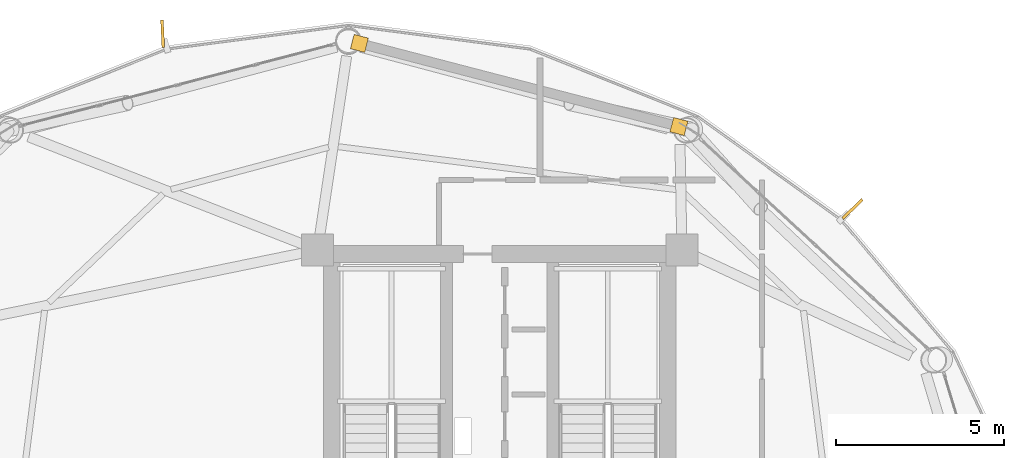
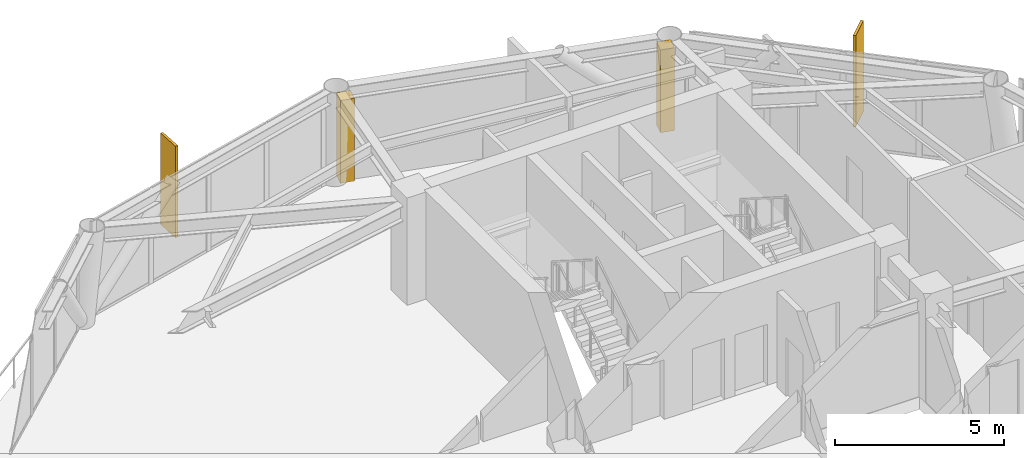
# One storey, part 26 of 26: 2 coverings, 2 shading devices.
"""IFC4 building model written with IfcOpenShell, lengths in metres."""

import ifcopenshell
import ifcopenshell.guid

model = None  # the IFC model being written
_history = None  # IfcOwnerHistory: only IFC2X3 demands one
_inside = {}  # id of a spatial element -> (the spatial element, [elements in it])
_under = {}  # id of a project, library or spatial element -> (it, [spatial elements below it])
_declared = {}  # id of a project -> (the project, [libraries it declares])
_typed = {}  # id of a type object -> (the type object, [elements of that type])
_made_of = {}  # id of a material, layer set ... -> (it, [elements and type objects made of it])


def new_model(schema):
    """Start an empty IFC model of exactly this schema.

    Asked for "IFC4X3", IfcOpenShell would pick the latest addendum, in which some entities
    have other attributes; the version numbers below select the first issue.
    IFC2X3 requires an IfcOwnerHistory on every rooted entity: one is made here for all.
    """
    global model, _history
    if schema == "IFC4X3":
        model = ifcopenshell.file(schema_version=(4, 3, 0, 0))
    else:
        model = ifcopenshell.file(schema=schema)
    _inside.clear()
    _under.clear()
    _declared.clear()
    _typed.clear()
    _made_of.clear()
    _history = None
    if model.schema == "IFC2X3":
        org = make("IfcOrganization", Name="unknown")
        user = make(
            "IfcPersonAndOrganization",
            ThePerson=make("IfcPerson", FamilyName="unknown"),
            TheOrganization=org,
        )
        app = make(
            "IfcApplication",
            ApplicationDeveloper=org,
            Version="unknown",
            ApplicationFullName="unknown",
            ApplicationIdentifier="unknown",
        )
        _history = make(
            "IfcOwnerHistory",
            OwningUser=user,
            OwningApplication=app,
            ChangeAction="ADDED",
            CreationDate=0,
        )
    return model


def make(cls, **values):
    """One entity of the class cls with the attributes given. An attribute that is None is left unset."""
    return model.create_entity(
        cls, **{name: value for name, value in values.items() if value is not None}
    )


def rooted(cls, **values):
    """An entity with a GlobalId (a new one), such as an element, a storey or a relation."""
    return make(cls, GlobalId=ifcopenshell.guid.new(), OwnerHistory=_history, **values)


def si_unit(unit_type, name, prefix=None):
    """IfcSIUnit, for example si_unit("LENGTHUNIT", "METRE", prefix="MILLI")."""
    return make("IfcSIUnit", UnitType=unit_type, Prefix=prefix, Name=name)


def assignment(units):
    """IfcUnitAssignment: the units of a project."""
    return None if units is None else make("IfcUnitAssignment", Units=units)


def point(xyz):
    """IfcCartesianPoint."""
    return None if xyz is None else make("IfcCartesianPoint", Coordinates=xyz)


def direction(xyz):
    """IfcDirection."""
    return None if xyz is None else make("IfcDirection", DirectionRatios=xyz)


def frame(location, z_axis=None, x_axis=None):
    """IfcAxis2Placement3D, a coordinate frame: its origin and axes. An axis left out is left unset."""
    return make(
        "IfcAxis2Placement3D",
        Location=point(location),
        Axis=direction(z_axis),
        RefDirection=direction(x_axis),
    )


def frame_2d(location, x_axis=None):
    """IfcAxis2Placement2D, a coordinate frame in the plane: its origin and x axis."""
    return make(
        "IfcAxis2Placement2D", Location=point(location), RefDirection=direction(x_axis)
    )


def origin():
    """The frame at (0, 0, 0) with its axes left unset."""
    return frame((0.0, 0.0, 0.0))


def origin_2d():
    """The frame at (0, 0) in the plane with its x axis left unset."""
    return frame_2d((0.0, 0.0))


def place(relative_to, where):
    """IfcLocalPlacement: puts the frame where relative to a parent placement (None: the world)."""
    return make(
        "IfcLocalPlacement", PlacementRelTo=relative_to, RelativePlacement=where
    )


def context(
    kind, dimensions, precision=None, world=None, true_north=None, identifier=None
):
    """IfcGeometricRepresentationContext, for example the 3D "Model" context."""
    return make(
        "IfcGeometricRepresentationContext",
        ContextIdentifier=identifier,
        ContextType=kind,
        CoordinateSpaceDimension=dimensions,
        Precision=precision,
        WorldCoordinateSystem=world,
        TrueNorth=true_north,
    )


def subcontext(parent, identifier, kind, view, scale=None):
    """IfcGeometricRepresentationSubContext, for example "Body" below "Model"."""
    return make(
        "IfcGeometricRepresentationSubContext",
        ContextIdentifier=identifier,
        ContextType=kind,
        ParentContext=parent,
        TargetScale=scale,
        TargetView=view,
    )


def project(units=None, contexts=None):
    """IfcProject with its units and contexts."""
    return rooted(
        "IfcProject",
        Name="project",
        RepresentationContexts=contexts,
        UnitsInContext=assignment(units),
    )


def spatial(cls, under=None, at=None, **own):
    """A site, building, storey or space (cls), placed at a placement, below another one or the project."""
    s = rooted(cls, ObjectPlacement=at, **own)
    if under is not None:
        _under.setdefault(under.id(), (under, []))[1].append(s)
    return s


def profile(cls, at=None, kind="AREA", **sizes):
    """A parametric profile (cls). Its sizes go by their IFC names, for example OverallWidth=200.0."""
    return make(cls, ProfileType=kind, Position=at, **sizes)


def rectangle(**sizes):
    """IfcRectangleProfileDef."""
    return profile("IfcRectangleProfileDef", **sizes)


def extrude(swept, where, along, depth):
    """IfcExtrudedAreaSolid: the profile swept, set in the frame where, extruded along a direction by depth."""
    return make(
        "IfcExtrudedAreaSolid",
        SweptArea=swept,
        Position=where,
        ExtrudedDirection=direction(along),
        Depth=depth,
    )


def shape(context_of_items, identifier, shape_type, items):
    """IfcShapeRepresentation: the items that make up one representation, for example the "Body"."""
    return make(
        "IfcShapeRepresentation",
        ContextOfItems=context_of_items,
        RepresentationIdentifier=identifier,
        RepresentationType=shape_type,
        Items=items,
    )


def source(mapping_origin, context_of_items, identifier, shape_type, items):
    """IfcRepresentationMap: a shape defined once, which mapped items show again and again."""
    return make(
        "IfcRepresentationMap",
        MappingOrigin=mapping_origin,
        MappedRepresentation=shape(context_of_items, identifier, shape_type, items),
    )


def transform(
    local_origin,
    x_axis=None,
    y_axis=None,
    z_axis=None,
    scale=None,
    scale2=None,
    scale3=None,
    uniform=True,
):
    """IfcCartesianTransformationOperator3D, or its non-uniform kind. x_axis, y_axis, z_axis: its Axis1, 2, 3."""
    if uniform:
        return make(
            "IfcCartesianTransformationOperator3D",
            Axis1=direction(x_axis),
            Axis2=direction(y_axis),
            LocalOrigin=point(local_origin),
            Scale=scale,
            Axis3=direction(z_axis),
        )
    return make(
        "IfcCartesianTransformationOperator3DnonUniform",
        Axis1=direction(x_axis),
        Axis2=direction(y_axis),
        LocalOrigin=point(local_origin),
        Scale=scale,
        Axis3=direction(z_axis),
        Scale2=scale2,
        Scale3=scale3,
    )


def mapped(mapping_source, mapping_target):
    """IfcMappedItem: shows the shape of a source again, moved by a transform."""
    return make(
        "IfcMappedItem", MappingSource=mapping_source, MappingTarget=mapping_target
    )


def material(Name=None, Category=None):
    """IfcMaterial."""
    return make("IfcMaterial", Name=Name, Category=Category)


def layer(
    of_material, thickness, ventilated=None, Name=None, Category=None, Priority=None
):
    """IfcMaterialLayer: one layer of a wall or slab, of a material (None: an air gap)."""
    return make(
        "IfcMaterialLayer",
        Material=of_material,
        LayerThickness=thickness,
        IsVentilated=ventilated,
        Name=Name,
        Category=Category,
        Priority=Priority,
    )


def layer_set(layers, Name=None):
    """IfcMaterialLayerSet."""
    return make("IfcMaterialLayerSet", MaterialLayers=layers, LayerSetName=Name)


def made_of(thing, what):
    """Note that an element or type object is made of a material, layer set ...; save() writes the relation."""
    if what is not None:
        _made_of.setdefault(what.id(), (what, []))[1].append(thing)
    return thing


def type_object(cls, material=None, **own):
    """A type object (cls), such as IfcWallType, which elements share."""
    return made_of(rooted(cls, **own), material)


def type_shapes(of_type, sources):
    """Give a type object the sources (RepresentationMaps) that its elements show as mapped items."""
    of_type.RepresentationMaps = sources


def element(
    cls,
    number,
    at=None,
    inside=None,
    cuts=None,
    type_object=None,
    material=None,
    context=None,
    identifier="Body",
    shape_type=None,
    held_by="IfcProductDefinitionShape",
    body=None,
    shapes=None,
    **own,
):
    """One element of the class cls, such as IfcWall. Its Tag is "e" and its number.

    at: its placement. inside: the storey or other place that contains it. cuts: it is an
    opening in that element (IfcRelVoidsElement). A single representation is given by context,
    identifier, shape_type and body (its items); several are given by shapes. held_by: the class
    of the entity that holds the representations. save() writes the other relations.
    """
    e = rooted(cls, Tag="e%d" % number, ObjectPlacement=at, **own)
    if body is not None:
        shapes = [shape(context, identifier, shape_type, body)]
    if shapes is not None:
        e.Representation = make(held_by, Representations=shapes)
    if inside is not None:
        _inside.setdefault(inside.id(), (inside, []))[1].append(e)
    if cuts is not None:
        rooted(
            "IfcRelVoidsElement", RelatingBuildingElement=cuts, RelatedOpeningElement=e
        )
    if type_object is not None:
        _typed.setdefault(type_object.id(), (type_object, []))[1].append(e)
    return made_of(e, material)


def aggregate(whole, parts):
    """IfcRelAggregates: a whole, such as a stair, and the parts it consists of."""
    return rooted("IfcRelAggregates", RelatingObject=whole, RelatedObjects=parts)


def save(model, path):
    """Write the relations noted so far, then the file.

    IfcRelAggregates (storeys below a building ...), IfcRelContainedInSpatialStructure (elements
    in a storey), IfcRelDefinesByType, IfcRelAssociatesMaterial and IfcRelDeclares: one each for
    every whole, place, type object, material and project.
    """
    for whole, parts in _under.values():
        aggregate(whole, parts)
    for where, things in _inside.values():
        rooted(
            "IfcRelContainedInSpatialStructure",
            RelatedElements=things,
            RelatingStructure=where,
        )
    for kind, things in _typed.values():
        rooted("IfcRelDefinesByType", RelatedObjects=things, RelatingType=kind)
    for what, things in _made_of.values():
        rooted("IfcRelAssociatesMaterial", RelatedObjects=things, RelatingMaterial=what)
    for by, libraries in _declared.values():
        rooted("IfcRelDeclares", RelatingContext=by, RelatedDefinitions=libraries)
    model.write(path)


model = new_model("IFC4")

# Units and contexts
model_context = context("Model", 3, precision=1e-05, world=origin(), true_north=direction((0.0, 1.0)))
body_context = subcontext(model_context, "Body", "Model", "MODEL_VIEW")
ifc_project = project(units=[si_unit("LENGTHUNIT", "METRE"), si_unit("AREAUNIT", "SQUARE_METRE"), si_unit("VOLUMEUNIT", "CUBIC_METRE"), si_unit("PLANEANGLEUNIT", "RADIAN"), si_unit("MASSUNIT", "GRAM", prefix="KILO")], contexts=[model_context])

# Site, building, storey
site_placement = place(None, origin())
site = spatial("IfcSite", under=ifc_project, at=site_placement, CompositionType="ELEMENT")
building_placement = place(site_placement, origin())
building = spatial("IfcBuilding", under=site, at=building_placement, Name="Varnakorn Sky Granary", CompositionType="ELEMENT")
storey_placement = place(building_placement, frame((0.0, 0.0, 169.5)))
storey = spatial("IfcBuildingStorey", under=building, at=storey_placement, Name="L42", CompositionType="ELEMENT", Elevation=169.5)

# Coverings
ifc_material = material(Name="Anodised Bronze Aluminium Alloy 6063-T6", Category="aluminium")
ifc_layer = layer(ifc_material, 0.050048828125, Name="Anodised Bronze Aluminium Alloy 6063-T6")
ifc_layer_set = layer_set([ifc_layer], Name="Anodised Bronze Aluminium Alloy 6063-T6")
covering_type = type_object("IfcCoveringType", Name="CV-CLAD-50", PredefinedType="CLADDING", material=ifc_layer_set)
shared_shape_1 = source(origin(), body_context, "Body", "SweptSolid", [
    extrude(rectangle(XDim=0.43994140625, YDim=0.43994140625, at=origin_2d()), origin(), (0.0, 0.0, 1.0), 2.989990234375),
])
type_shapes(covering_type, [shared_shape_1])
for number, where, z_axis, x_axis, name in (
    (1, (-1.1748046875, 18.765380859375, -0.02001953125), (0.0, 0.0, 1.0), (0.967797100329, -0.251731548668, 0.0), "Bronze Corner Pilaster Closure L42-P03-A"),
    (2, (8.332275390625, 16.292236328125, -0.02001953125), (0.0, 0.0, 1.0), (0.967797100329, -0.251731548668, 0.0), "Bronze Corner Pilaster Closure L42-P03-B"),
):
    element("IfcCovering", number, at=place(storey_placement, frame(where, z_axis=z_axis, x_axis=x_axis)), inside=storey, type_object=covering_type, Name=name, PredefinedType="CLADDING", context=body_context, shape_type="MappedRepresentation", body=[
        mapped(shared_shape_1, transform((0.0, 0.0, 0.0), x_axis=(1.0, 0.0, 0.0), y_axis=(0.0, 1.0, 0.0), z_axis=(0.0, 0.0, 1.0), scale=1.0)),
    ])

# Shading devices
shading_device_type = type_object("IfcShadingDeviceType", Name="SH-FIN-02", PredefinedType="USERDEFINED", material=ifc_material)
shared_shape_2 = source(origin(), body_context, "Body", "SweptSolid", [
    extrude(rectangle(XDim=0.0849609375, YDim=0.820068359375, at=origin_2d()), origin(), (0.0, 0.0, 1.0), 3.300048828125),
])
type_shapes(shading_device_type, [shared_shape_2])
for number, where, z_axis, x_axis, name in (
    (3, (13.497314453125, 13.837890625, -0.0400390625), (0.0, 0.0, 1.0), (-0.694435113326, 0.719555330312, 0.0), "Bronze Solar-Tracking Vertical Blade FIN L42-02"),
    (4, (-7.029052734375, 19.05029296875, -0.0400390625), (0.0, 0.0, 1.0), (-0.998913669281, -0.04659915583, 0.0), "Bronze Solar-Tracking Vertical Blade FIN L42-04"),
):
    element("IfcShadingDevice", number, at=place(storey_placement, frame(where, z_axis=z_axis, x_axis=x_axis)), inside=storey, type_object=shading_device_type, Name=name, ObjectType="FIN", PredefinedType="USERDEFINED", context=body_context, shape_type="MappedRepresentation", body=[
        mapped(shared_shape_2, transform((0.0, 0.0, 0.0), x_axis=(1.0, 0.0, 0.0), y_axis=(0.0, 1.0, 0.0), z_axis=(0.0, 0.0, 1.0), scale=1.0)),
    ])

save(model, "model.ifc")
